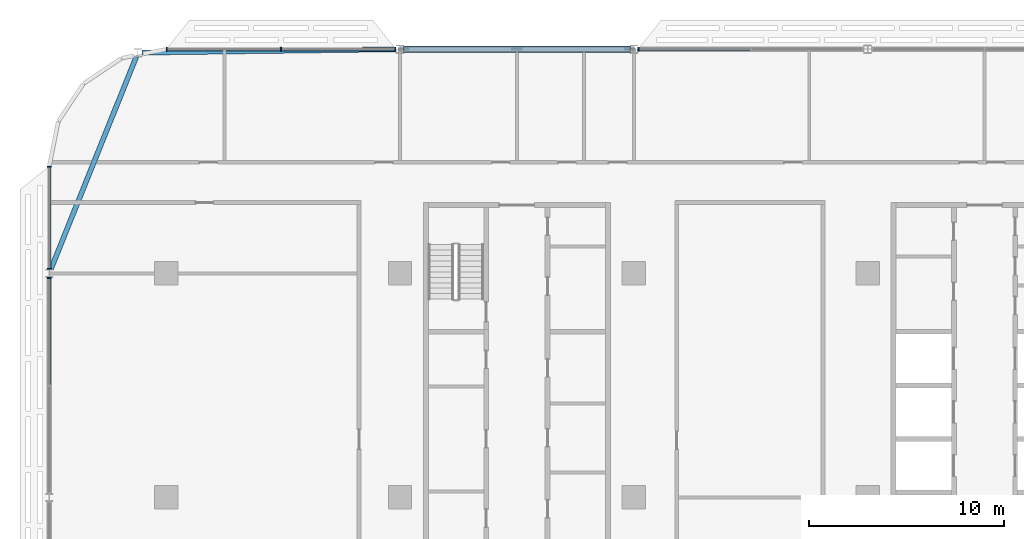
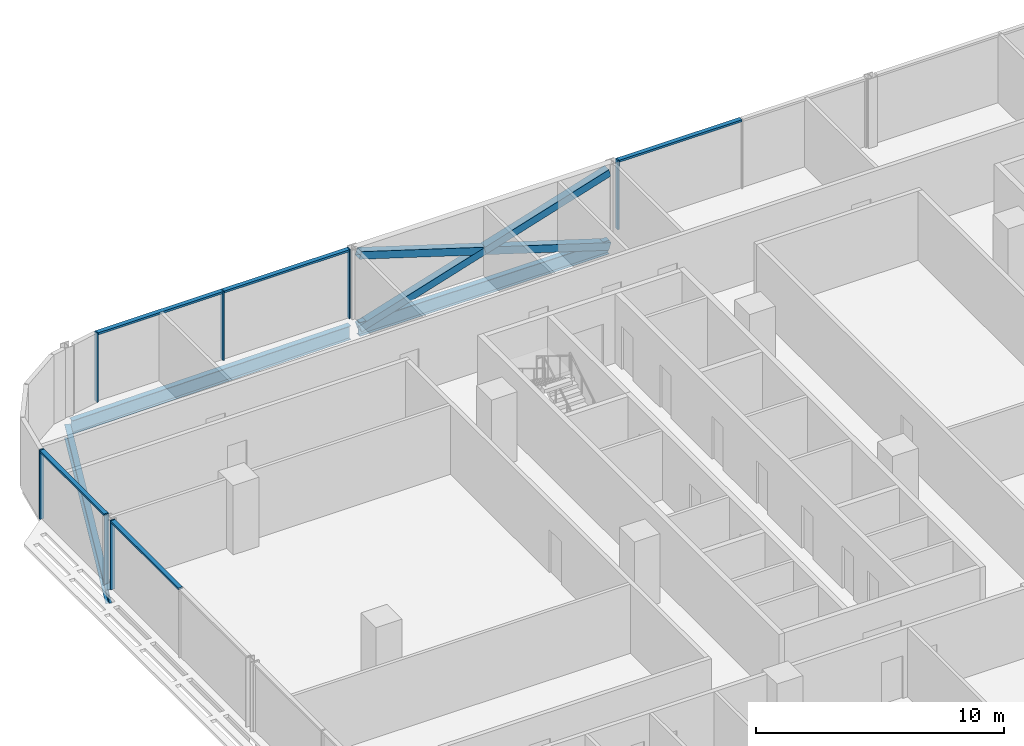
# One storey, part 6 of 28: 15 members, 3 beams, 4 elements without a shape of their own.
"""IFC4 building model written with IfcOpenShell, lengths in metres."""

from ifc_helpers import new_model, si_unit, direction, frame, origin, origin_2d, place, context, subcontext, project, spatial, rectangle, hollow_rectangle, i_section, extrude, material, material_profile, profile_set, type_object, element, aggregate, save


model = new_model("IFC4")

# Units and contexts
model_context = context("Model", 3, precision=1e-05, world=origin(), true_north=direction((0.0, 1.0)))
body_context = subcontext(model_context, "Body", "Model", "MODEL_VIEW")
ifc_project = project(units=[si_unit("LENGTHUNIT", "METRE"), si_unit("AREAUNIT", "SQUARE_METRE"), si_unit("VOLUMEUNIT", "CUBIC_METRE"), si_unit("PLANEANGLEUNIT", "RADIAN"), si_unit("MASSUNIT", "GRAM", prefix="KILO")], contexts=[model_context])

# Site, building, storey
site_placement = place(None, origin())
site = spatial("IfcSite", under=ifc_project, at=site_placement, CompositionType="ELEMENT")
building_placement = place(site_placement, origin())
building = spatial("IfcBuilding", under=site, at=building_placement, Name="Mahtab Terrace Research Tower", CompositionType="ELEMENT")
storey_placement = place(building_placement, frame((0.0, 0.0, 185.800048828125)))
storey = spatial("IfcBuildingStorey", under=building, at=storey_placement, Name="L44", CompositionType="ELEMENT", Elevation=185.800048828125)

# Members
ifc_material_1 = material(Name="Steel ASTM A500 Gr C", Category="steel")
ifc_material_profile_1 = material_profile(ifc_material_1, hollow_rectangle(XDim=0.355712890625, YDim=0.355712890625, WallThickness=0.015869140625, at=origin_2d()), Name="HSS14X14X5/8")
ifc_profile_set_1 = profile_set([ifc_material_profile_1], Name="Steel ASTM A500 Gr C")
member_type_1 = type_object("IfcMemberType", Name="HSS 14x14x5/8 brace XB141458", PredefinedType="BRACE", material=ifc_profile_set_1)
member_1_placement = place(storey_placement, frame((-18.203125, 23.0, -0.61572265625), z_axis=(-0.954708641588, 0.0, 0.297542282166), x_axis=(0.0, -1.0, 0.0)))
element("IfcMember", 1, at=member_1_placement, inside=storey, type_object=member_type_1, Name="Exoskeleton brace L44 06 a", PredefinedType="BRACE", context=body_context, shape_type="SweptSolid", body=[
    extrude(hollow_rectangle(XDim=0.355712890625, YDim=0.355712890625, WallThickness=0.015869140625, at=origin_2d()), origin(), (0.0, 0.0, 1.0), 12.143798828125),
])
for number, where, z_axis, x_axis, name in (
    (2, (-29.796875, 23.0, -0.61572265625), (0.954708641588, 0.0, 0.297542282166), (0.0, 1.0, 0.0), "Exoskeleton brace L44 06 b1"),
    (3, (-24.0, 23.0, 1.19091796875), (0.954708641588, 0.0, 0.297542282166), (0.0, 1.0, 0.0), "Exoskeleton brace L44 06 b2"),
):
    element("IfcMember", number, at=place(storey_placement, frame(where, z_axis=z_axis, x_axis=x_axis)), inside=storey, type_object=member_type_1, Name=name, PredefinedType="BRACE", context=body_context, shape_type="SweptSolid", body=[
        extrude(hollow_rectangle(XDim=0.355712890625, YDim=0.355712890625, WallThickness=0.015869140625, at=origin_2d()), origin(), (0.0, 0.0, 1.0), 6.07177734375),
    ])

# Curtain wall, member
ifc_material_2 = material(Name="Laboratory ribbon curtain wall")
curtain_wall_type = type_object("IfcCurtainWallType", Name="Laboratory ribbon curtain wall", PredefinedType="NOTDEFINED", material=ifc_material_2)
curtain_wall_1_placement = place(storey_placement, origin())
curtain_wall_1 = element("IfcCurtainWall", 4, at=curtain_wall_1_placement, inside=storey, type_object=curtain_wall_type, Name="EN.L44.3.7", PredefinedType="NOTDEFINED")
ifc_material_3 = material(Name="Natural anodised aluminium", Category="aluminium")
ifc_material_profile_2 = material_profile(ifc_material_3, rectangle(XDim=0.199951171875, YDim=0.06494140625, at=origin_2d()), Name="MULLION 65x200")
ifc_profile_set_2 = profile_set([ifc_material_profile_2], Name="Natural anodised aluminium")
member_type_2 = type_object("IfcMemberType", Name="Laboratory ribbon curtain wall mullion", PredefinedType="MULLION", material=ifc_profile_set_2)
member_2_placement = place(storey_placement, frame((-17.759521484375, 23.0, 0.0), z_axis=(0.0, 0.0, 1.0), x_axis=(0.0, -1.0, 0.0)))
member_2 = element("IfcMember", 5, at=member_2_placement, type_object=member_type_2, Name="CWL-5 mullion 3", PredefinedType="MULLION", context=body_context, shape_type="SweptSolid", body=[
    extrude(rectangle(XDim=0.199951171875, YDim=0.06494140625, at=origin_2d()), origin(), (0.0, 0.0, 1.0), 3.39990234375),
])

# Curtain wall, members
curtain_wall_2_placement = place(storey_placement, origin())
curtain_wall_2 = element("IfcCurtainWall", 6, at=curtain_wall_2_placement, inside=storey, type_object=curtain_wall_type, Name="EN.L44.3.9", PredefinedType="NOTDEFINED")
member_3_placement = place(storey_placement, frame((-30.240478515625, 23.0, 0.0), z_axis=(0.0, 0.0, 1.0), x_axis=(0.0, -1.0, 0.0)))
member_3 = element("IfcMember", 7, at=member_3_placement, type_object=member_type_2, Name="CWL-5 mullion 1", PredefinedType="MULLION", context=body_context, shape_type="SweptSolid", body=[
    extrude(rectangle(XDim=0.199951171875, YDim=0.06494140625, at=origin_2d()), origin(), (0.0, 0.0, 1.0), 3.39990234375),
])
member_4_placement = place(storey_placement, frame((-36.10400390625, 23.0, 0.0), z_axis=(0.0, 0.0, 1.0), x_axis=(0.0, -1.0, 0.0)))
member_4 = element("IfcMember", 8, at=member_4_placement, type_object=member_type_2, Name="CWL-5 mullion 2", PredefinedType="MULLION", context=body_context, shape_type="SweptSolid", body=[
    extrude(rectangle(XDim=0.199951171875, YDim=0.06494140625, at=origin_2d()), origin(), (0.0, 0.0, 1.0), 3.39990234375),
])
member_5_placement = place(storey_placement, frame((-41.967529296875, 23.0, 0.0), z_axis=(0.0, 0.0, 1.0), x_axis=(0.0, -1.0, 0.0)))
member_5 = element("IfcMember", 9, at=member_5_placement, type_object=member_type_2, Name="CWL-5 mullion 3", PredefinedType="MULLION", context=body_context, shape_type="SweptSolid", body=[
    extrude(rectangle(XDim=0.199951171875, YDim=0.06494140625, at=origin_2d()), origin(), (0.0, 0.0, 1.0), 3.39990234375),
])

curtain_wall_3_placement = place(storey_placement, origin())
curtain_wall_3 = element("IfcCurtainWall", 10, at=curtain_wall_3_placement, inside=storey, type_object=curtain_wall_type, Name="EN.L44.8.15", PredefinedType="NOTDEFINED")
member_6_placement = place(storey_placement, frame((-48.0, 16.967529296875, 0.0), z_axis=(0.0, 0.0, 1.0), x_axis=(1.0, 0.0, 0.0)))
member_6 = element("IfcMember", 11, at=member_6_placement, type_object=member_type_2, Name="CWL-5 mullion 1", PredefinedType="MULLION", context=body_context, shape_type="SweptSolid", body=[
    extrude(rectangle(XDim=0.199951171875, YDim=0.06494140625, at=origin_2d()), origin(), (0.0, 0.0, 1.0), 3.39990234375),
])
member_7_placement = place(storey_placement, frame((-48.0, 11.740478515625, 0.0), z_axis=(0.0, 0.0, 1.0), x_axis=(1.0, 0.0, 0.0)))
member_7 = element("IfcMember", 12, at=member_7_placement, type_object=member_type_2, Name="CWL-5 mullion 2", PredefinedType="MULLION", context=body_context, shape_type="SweptSolid", body=[
    extrude(rectangle(XDim=0.199951171875, YDim=0.06494140625, at=origin_2d()), origin(), (0.0, 0.0, 1.0), 3.39990234375),
])

# Curtain wall, member
curtain_wall_4_placement = place(storey_placement, origin())
curtain_wall_4 = element("IfcCurtainWall", 13, at=curtain_wall_4_placement, inside=storey, type_object=curtain_wall_type, Name="EN.L44.8.16", PredefinedType="NOTDEFINED")
member_8_placement = place(storey_placement, frame((-48.0, 11.259521484375, 0.0), z_axis=(0.0, 0.0, 1.0), x_axis=(1.0, 0.0, 0.0)))
member_8 = element("IfcMember", 14, at=member_8_placement, type_object=member_type_2, Name="CWL-5 mullion 1", PredefinedType="MULLION", context=body_context, shape_type="SweptSolid", body=[
    extrude(rectangle(XDim=0.199951171875, YDim=0.06494140625, at=origin_2d()), origin(), (0.0, 0.0, 1.0), 3.39990234375),
])

# Member
ifc_material_profile_3 = material_profile(ifc_material_3, rectangle(XDim=0.199951171875, YDim=0.10009765625, at=origin_2d()), Name="TRANSOM 100x200")
ifc_profile_set_3 = profile_set([ifc_material_profile_3], Name="Natural anodised aluminium")
member_type_3 = type_object("IfcMemberType", Name="Laboratory ribbon curtain wall transom", PredefinedType="USERDEFINED", material=ifc_profile_set_3)
member_9_placement = place(storey_placement, frame((-12.032470703125, 23.0, 3.349853515625), z_axis=(-1.0, 0.0, 0.0), x_axis=(0.0, -1.0, 0.0)))
member_9 = element("IfcMember", 15, at=member_9_placement, type_object=member_type_3, Name="CWL-5 transom 2", ObjectType="TRANSOM", PredefinedType="USERDEFINED", context=body_context, shape_type="SweptSolid", body=[
    extrude(rectangle(XDim=0.199951171875, YDim=0.10009765625, at=origin_2d()), origin(), (0.0, 0.0, 1.0), 5.694580078125),
])

aggregate(curtain_wall_1, [member_2, member_9])

member_10_placement = place(storey_placement, frame((-30.27294921875, 23.0, 3.349853515625), z_axis=(-1.0, 0.0, 0.0), x_axis=(0.0, -1.0, 0.0)))
member_10 = element("IfcMember", 16, at=member_10_placement, type_object=member_type_3, Name="CWL-5 transom 1", ObjectType="TRANSOM", PredefinedType="USERDEFINED", context=body_context, shape_type="SweptSolid", body=[
    extrude(rectangle(XDim=0.199951171875, YDim=0.10009765625, at=origin_2d()), origin(), (0.0, 0.0, 1.0), 5.798583984375),
])

member_11_placement = place(storey_placement, frame((-36.136474609375, 23.0, 3.349853515625), z_axis=(-1.0, 0.0, 0.0), x_axis=(0.0, -1.0, 0.0)))
member_11 = element("IfcMember", 17, at=member_11_placement, type_object=member_type_3, Name="CWL-5 transom 2", ObjectType="TRANSOM", PredefinedType="USERDEFINED", context=body_context, shape_type="SweptSolid", body=[
    extrude(rectangle(XDim=0.199951171875, YDim=0.10009765625, at=origin_2d()), origin(), (0.0, 0.0, 1.0), 5.798583984375),
])

aggregate(curtain_wall_2, [member_3, member_4, member_5, member_10, member_11])

member_12_placement = place(storey_placement, frame((-48.0, 16.93505859375, 3.349853515625), z_axis=(0.0, -1.0, 0.0), x_axis=(1.0, 0.0, 0.0)))
member_12 = element("IfcMember", 18, at=member_12_placement, type_object=member_type_3, Name="CWL-5 transom 1", ObjectType="TRANSOM", PredefinedType="USERDEFINED", context=body_context, shape_type="SweptSolid", body=[
    extrude(rectangle(XDim=0.199951171875, YDim=0.10009765625, at=origin_2d()), origin(), (0.0, 0.0, 1.0), 5.162109375),
])

aggregate(curtain_wall_3, [member_6, member_7, member_12])

member_13_placement = place(storey_placement, frame((-48.0, 11.22705078125, 3.349853515625), z_axis=(0.0, -1.0, 0.0), x_axis=(1.0, 0.0, 0.0)))
member_13 = element("IfcMember", 19, at=member_13_placement, type_object=member_type_3, Name="CWL-5 transom 1", ObjectType="TRANSOM", PredefinedType="USERDEFINED", context=body_context, shape_type="SweptSolid", body=[
    extrude(rectangle(XDim=0.199951171875, YDim=0.10009765625, at=origin_2d()), origin(), (0.0, 0.0, 1.0), 5.444580078125),
])

aggregate(curtain_wall_4, [member_8, member_13])

# Beams
ifc_material_4 = material(Name="Steel ASTM A992 Gr 50", Category="steel")
ifc_material_profile_4 = material_profile(ifc_material_4, i_section(OverallWidth=0.25390625, OverallDepth=0.67822265625, WebThickness=0.01171875, FlangeThickness=0.016357421875, at=origin_2d()), Name="W27X84")
ifc_profile_set_4 = profile_set([ifc_material_profile_4], Name="Steel ASTM A992 Gr 50")
beam_type = type_object("IfcBeamType", Name="W27x84 beam BS2784", PredefinedType="BEAM", material=ifc_profile_set_4)
beam_1_placement = place(storey_placement, frame((-18.203125, 23.0, -0.67919921875), z_axis=(-1.0, 0.0, 0.0), x_axis=(0.0, -1.0, 0.0)))
element("IfcBeam", 20, at=beam_1_placement, inside=storey, type_object=beam_type, Name="Spandrel beam L44 06", PredefinedType="BEAM", context=body_context, shape_type="SweptSolid", body=[
    extrude(i_section(OverallWidth=0.25390625, OverallDepth=0.67822265625, WebThickness=0.01171875, FlangeThickness=0.016357421875, at=origin_2d()), origin(), (0.0, 0.0, 1.0), 11.59375),
])
beam_2_placement = place(storey_placement, frame((-30.203125, 22.997314453125, -0.67919921875), z_axis=(-0.999912429007, -0.013233832294, 0.0), x_axis=(0.013233832294, -0.999912429007, 0.0)))
element("IfcBeam", 21, at=beam_2_placement, inside=storey, type_object=beam_type, Name="Spandrel beam L44 07", PredefinedType="BEAM", context=body_context, shape_type="SweptSolid", body=[
    extrude(i_section(OverallWidth=0.25390625, OverallDepth=0.67822265625, WebThickness=0.01171875, FlangeThickness=0.016357421875, at=origin_2d()), origin(), (0.0, 0.0, 1.0), 13.04296875),
])
beam_3_placement = place(storey_placement, frame((-43.53173828125, 22.61376953125, -0.67919921875), z_axis=(-0.373026712357, -0.927820603278, 0.0), x_axis=(0.927820603278, -0.373026712357, 0.0)))
element("IfcBeam", 22, at=beam_3_placement, inside=storey, type_object=beam_type, Name="Spandrel beam L44 08", PredefinedType="BEAM", context=body_context, shape_type="SweptSolid", body=[
    extrude(i_section(OverallWidth=0.25390625, OverallDepth=0.67822265625, WebThickness=0.01171875, FlangeThickness=0.016357421875, at=origin_2d()), origin(), (0.0, 0.0, 1.0), 11.75390625),
])

save(model, "model.ifc")
